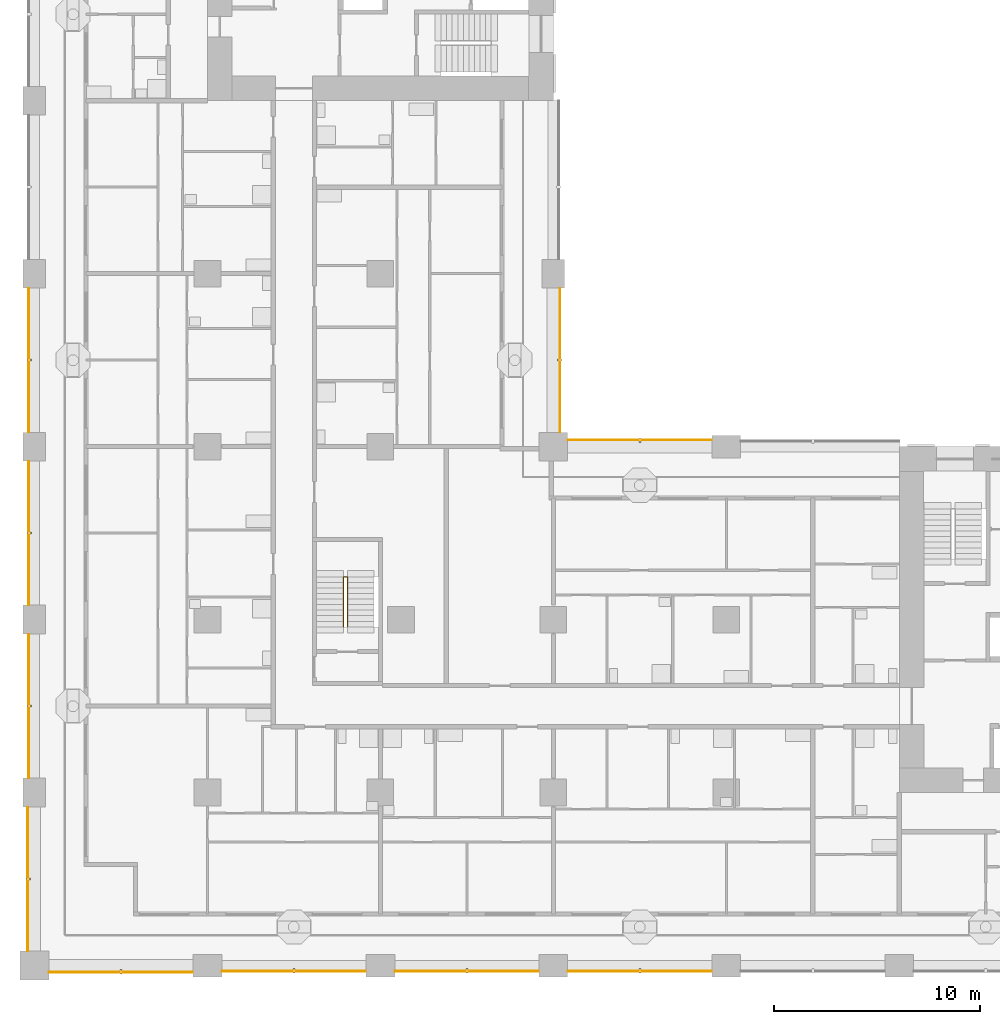
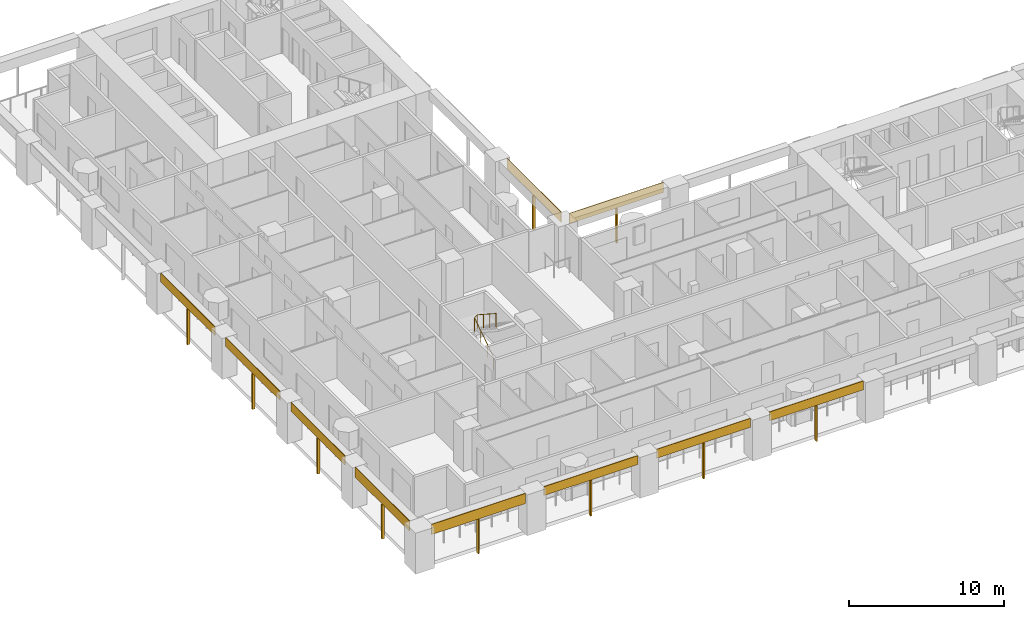
# One storey, part 12 of 22: 20 shading devices, 1 railing.
"""IFC4 building model written with IfcOpenShell, lengths in metres."""

from ifc_helpers import new_model, si_unit, direction, frame, origin, origin_2d, place, context, subcontext, project, spatial, rectangle, circle, extrude, material, layer, layer_set, material_profile, profile_set, type_object, element, save


model = new_model("IFC4")

# Units and contexts
model_context = context("Model", 3, precision=1e-05, world=origin(), true_north=direction((0.0, 1.0)))
body_context = subcontext(model_context, "Body", "Model", "MODEL_VIEW")
ifc_project = project(units=[si_unit("LENGTHUNIT", "METRE"), si_unit("AREAUNIT", "SQUARE_METRE"), si_unit("VOLUMEUNIT", "CUBIC_METRE"), si_unit("PLANEANGLEUNIT", "RADIAN"), si_unit("MASSUNIT", "GRAM", prefix="KILO")], contexts=[model_context])

# Site, building, storey
site_placement = place(None, origin())
site = spatial("IfcSite", under=ifc_project, at=site_placement, CompositionType="ELEMENT")
building_placement = place(site_placement, origin())
building = spatial("IfcBuilding", under=site, at=building_placement, Name="Vermilion Gate Residences", CompositionType="ELEMENT")
storey_placement = place(building_placement, frame((0.0, 0.0, 63.699951171875)))
storey = spatial("IfcBuildingStorey", under=building, at=storey_placement, Name="L15", CompositionType="ELEMENT", Elevation=63.699951171875)

# Shading devices
ifc_material_1 = material(Name="Perforated terracotta", Category="masonry")
ifc_layer = layer(ifc_material_1, 0.0400390625)
ifc_layer_set = layer_set([ifc_layer], Name="PERFORATED TERRACOTTA SCREEN 40")
shading_device_type_1 = type_object("IfcShadingDeviceType", Name="PERFORATED TERRACOTTA SCREEN 40", PredefinedType="SHUTTER", material=ifc_layer_set)
shading_device_1_placement = place(storey_placement, frame((4.199951171875, -0.320068359375, 2.419921875), z_axis=(0.0, 0.0, 1.0), x_axis=(1.0, 0.0, 0.0)))
element("IfcShadingDevice", 1, at=shading_device_1_placement, inside=storey, type_object=shading_device_type_1, Name="SCREEN", PredefinedType="SHUTTER", context=body_context, shape_type="SweptSolid", body=[
    extrude(rectangle(XDim=7.0, YDim=0.0400390625, at=origin_2d()), origin(), (0.0, 0.0, 1.0), 0.800048828125),
])
for number, where, z_axis, x_axis, name in (
    (2, (12.60009765625, -0.27001953125, 2.52001953125), (0.0, 0.0, 1.0), (1.0, 0.0, 0.0), "SCREEN"),
    (3, (21.0, -0.27001953125, 2.52001953125), (0.0, 0.0, 1.0), (1.0, 0.0, 0.0), "SCREEN"),
    (4, (29.39990234375, -0.27001953125, 2.52001953125), (0.0, 0.0, 1.0), (1.0, 0.0, 0.0), "SCREEN"),
):
    element("IfcShadingDevice", number, at=place(storey_placement, frame(where, z_axis=z_axis, x_axis=x_axis)), inside=storey, type_object=shading_device_type_1, Name=name, PredefinedType="SHUTTER", context=body_context, shape_type="SweptSolid", body=[
        extrude(rectangle(XDim=7.0, YDim=0.0400390625, at=origin_2d()), origin(), (0.0, 0.0, 1.0), 0.699951171875),
    ])
for number, where, z_axis, x_axis, name in (
    (5, (29.39990234375, 25.52001953125, 2.419921875), (0.0, 0.0, 1.0), (-1.0, 0.0, 0.0), "SCREEN"),
    (6, (25.52001953125, 29.39990234375, 2.419921875), (0.0, 0.0, 1.0), (0.0, 1.0, 0.0), "SCREEN"),
    (7, (-0.320068359375, 4.199951171875, 2.419921875), (0.0, 0.0, 1.0), (0.0, -1.0, 0.0), "SCREEN"),
):
    element("IfcShadingDevice", number, at=place(storey_placement, frame(where, z_axis=z_axis, x_axis=x_axis)), inside=storey, type_object=shading_device_type_1, Name=name, PredefinedType="SHUTTER", context=body_context, shape_type="SweptSolid", body=[
        extrude(rectangle(XDim=7.0, YDim=0.0400390625, at=origin_2d()), origin(), (0.0, 0.0, 1.0), 0.800048828125),
    ])
for number, where, z_axis, x_axis, name in (
    (8, (-0.27001953125, 12.60009765625, 2.52001953125), (0.0, 0.0, 1.0), (0.0, -1.0, 0.0), "SCREEN"),
    (9, (-0.27001953125, 21.0, 2.52001953125), (0.0, 0.0, 1.0), (0.0, -1.0, 0.0), "SCREEN"),
    (10, (-0.27001953125, 29.39990234375, 2.52001953125), (0.0, 0.0, 1.0), (0.0, -1.0, 0.0), "SCREEN"),
):
    element("IfcShadingDevice", number, at=place(storey_placement, frame(where, z_axis=z_axis, x_axis=x_axis)), inside=storey, type_object=shading_device_type_1, Name=name, PredefinedType="SHUTTER", context=body_context, shape_type="SweptSolid", body=[
        extrude(rectangle(XDim=7.0, YDim=0.0400390625, at=origin_2d()), origin(), (0.0, 0.0, 1.0), 0.699951171875),
    ])

# Railing
ifc_material_2 = material(Name="Steel S355", Category="steel")
railing_type = type_object("IfcRailingType", Name="STAIR GUARD 1100 STEEL", PredefinedType="GUARDRAIL", material=ifc_material_2)
railing_placement = place(storey_placement, frame((15.0, 16.449951171875, 0.175048828125)))
element("IfcRailing", 11, at=railing_placement, inside=storey, type_object=railing_type, Name="Stair well guard STC1-15", PredefinedType="GUARDRAIL", context=body_context, shape_type="SweptSolid", body=[
    extrude(circle(Radius=0.02392578125, at=origin_2d()), frame((0.0, 0.0, 1.076171875), z_axis=(0.0, 0.839153699163, 0.543894354798), x_axis=(-1.0, 0.0, 0.0)), (0.0, 0.0, 1.0), 2.895751953125),
    extrude(circle(Radius=0.02392578125, at=origin_2d()), frame((0.0, 2.429931640625, 2.65087890625), z_axis=(0.752405939678, 0.0, 0.658699705433), x_axis=(0.0, 1.0, 0.0)), (0.0, 0.0, 1.0), 0.265869140625),
    extrude(circle(Radius=0.02392578125, at=origin_2d()), frame((0.199951171875, 2.429931640625, 2.826171875), z_axis=(0.0, -0.839153699163, 0.543894354798), x_axis=(1.0, 0.0, 0.0)), (0.0, 0.0, 1.0), 2.895751953125),
    extrude(circle(Radius=0.02099609375, at=origin_2d()), origin(), (0.0, 0.0, 1.0), 1.052001953125),
    extrude(circle(Radius=0.02099609375, at=origin_2d()), frame((0.0, 0.81005859375, 0.52490234375)), (0.0, 0.0, 1.0), 1.052001953125),
    extrude(circle(Radius=0.02099609375, at=origin_2d()), frame((0.0, 1.619873046875, 1.050048828125)), (0.0, 0.0, 1.0), 1.052001953125),
    extrude(circle(Radius=0.02099609375, at=origin_2d()), frame((0.0, 2.429931640625, 1.574951171875)), (0.0, 0.0, 1.0), 1.052001953125),
    extrude(circle(Radius=0.02099609375, at=origin_2d()), frame((0.199951171875, 2.429931640625, 1.75)), (0.0, 0.0, 1.0), 1.052001953125),
    extrude(circle(Radius=0.02099609375, at=origin_2d()), frame((0.199951171875, 1.619873046875, 2.27490234375)), (0.0, 0.0, 1.0), 1.052001953125),
    extrude(circle(Radius=0.02099609375, at=origin_2d()), frame((0.199951171875, 0.81005859375, 2.800048828125)), (0.0, 0.0, 1.0), 1.052001953125),
    extrude(circle(Radius=0.02099609375, at=origin_2d()), frame((0.199951171875, 0.0, 3.324951171875)), (0.0, 0.0, 1.0), 1.052001953125),
])

# Shading devices
ifc_material_3 = material(Name="Extruded terracotta", Category="masonry")
ifc_material_profile = material_profile(ifc_material_3, rectangle(XDim=0.199951171875, YDim=0.10009765625, at=origin_2d()), Name="BAGUETTE 100 X 200")
ifc_profile_set = profile_set([ifc_material_profile], Name="Extruded terracotta")
shading_device_type_2 = type_object("IfcShadingDeviceType", Name="TERRACOTTA BAGUETTE 100 X 200", PredefinedType="JALOUSIE", material=ifc_profile_set)
shading_device_2_placement = place(storey_placement, frame((4.199951171875, -0.300048828125, -0.280029296875), z_axis=(0.0, 0.0, 1.0), x_axis=(0.0, 1.0, 0.0)))
element("IfcShadingDevice", 12, at=shading_device_2_placement, inside=storey, type_object=shading_device_type_2, Name="BAGUETTE", PredefinedType="JALOUSIE", context=body_context, shape_type="SweptSolid", body=[
    extrude(rectangle(XDim=0.199951171875, YDim=0.10009765625, at=origin_2d()), origin(), (0.0, 0.0, 1.0), 2.7001953125),
])
for number, where, z_axis, x_axis, name in (
    (13, (12.60009765625, -0.25, -0.280029296875), (0.0, 0.0, 1.0), (0.0, 1.0, 0.0), "BAGUETTE"),
    (14, (21.0, -0.25, -0.280029296875), (0.0, 0.0, 1.0), (0.0, 1.0, 0.0), "BAGUETTE"),
    (15, (29.39990234375, -0.25, -0.280029296875), (0.0, 0.0, 1.0), (0.0, 1.0, 0.0), "BAGUETTE"),
):
    element("IfcShadingDevice", number, at=place(storey_placement, frame(where, z_axis=z_axis, x_axis=x_axis)), inside=storey, type_object=shading_device_type_2, Name=name, PredefinedType="JALOUSIE", context=body_context, shape_type="SweptSolid", body=[
        extrude(rectangle(XDim=0.199951171875, YDim=0.10009765625, at=origin_2d()), origin(), (0.0, 0.0, 1.0), 2.800048828125),
    ])
for number, where, z_axis, x_axis, name in (
    (16, (29.39990234375, 25.5, -0.280029296875), (0.0, 0.0, 1.0), (0.0, -1.0, 0.0), "BAGUETTE"),
    (17, (25.5, 29.39990234375, -0.280029296875), (0.0, 0.0, 1.0), (-1.0, 0.0, 0.0), "BAGUETTE"),
    (18, (-0.300048828125, 4.199951171875, -0.280029296875), (0.0, 0.0, 1.0), (1.0, 0.0, 0.0), "BAGUETTE"),
):
    element("IfcShadingDevice", number, at=place(storey_placement, frame(where, z_axis=z_axis, x_axis=x_axis)), inside=storey, type_object=shading_device_type_2, Name=name, PredefinedType="JALOUSIE", context=body_context, shape_type="SweptSolid", body=[
        extrude(rectangle(XDim=0.199951171875, YDim=0.10009765625, at=origin_2d()), origin(), (0.0, 0.0, 1.0), 2.7001953125),
    ])
for number, where, z_axis, x_axis, name in (
    (19, (-0.25, 12.60009765625, -0.280029296875), (0.0, 0.0, 1.0), (1.0, 0.0, 0.0), "BAGUETTE"),
    (20, (-0.25, 21.0, -0.280029296875), (0.0, 0.0, 1.0), (1.0, 0.0, 0.0), "BAGUETTE"),
    (21, (-0.25, 29.39990234375, -0.280029296875), (0.0, 0.0, 1.0), (1.0, 0.0, 0.0), "BAGUETTE"),
):
    element("IfcShadingDevice", number, at=place(storey_placement, frame(where, z_axis=z_axis, x_axis=x_axis)), inside=storey, type_object=shading_device_type_2, Name=name, PredefinedType="JALOUSIE", context=body_context, shape_type="SweptSolid", body=[
        extrude(rectangle(XDim=0.199951171875, YDim=0.10009765625, at=origin_2d()), origin(), (0.0, 0.0, 1.0), 2.800048828125),
    ])

save(model, "model.ifc")
